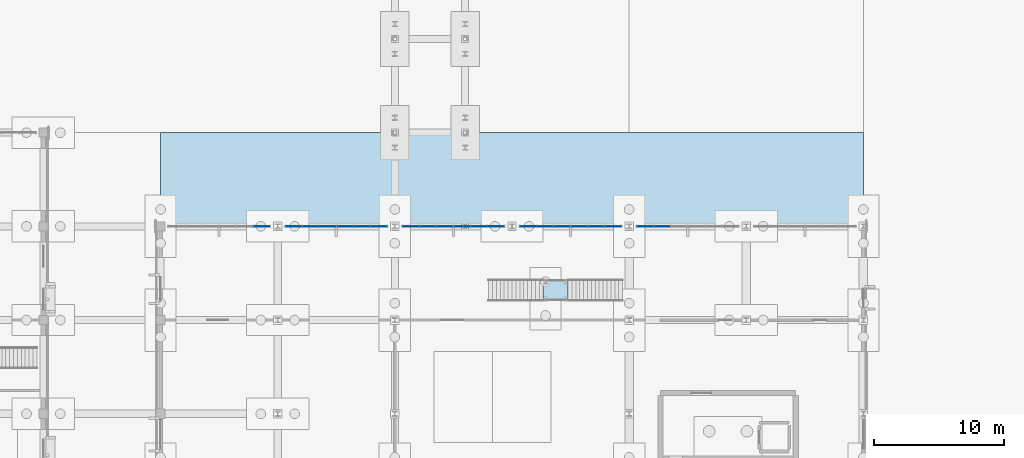
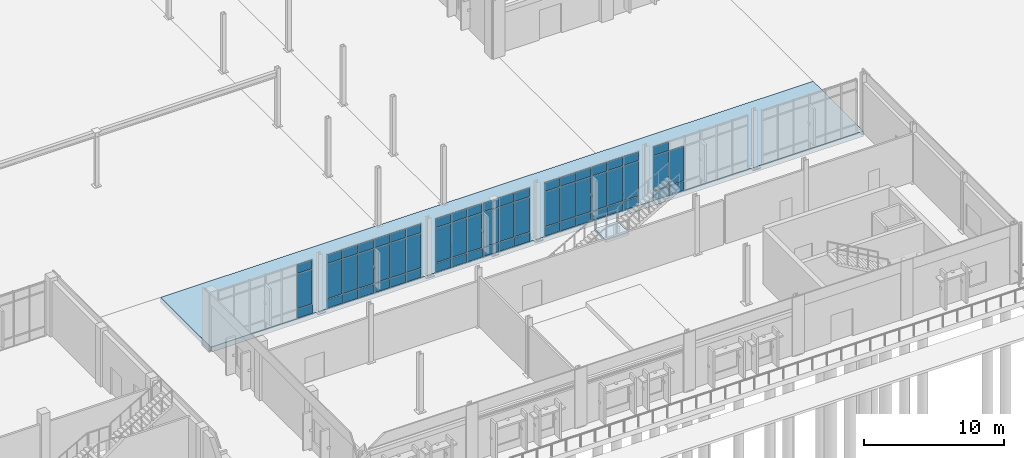
# One storey, part 53 of 94: 62 plates, 2 slabs, 9 elements without a shape of their own.
"""IFC4 building model written with IfcOpenShell, lengths in metres."""

from ifc_helpers import new_model, si_unit, direction, frame, origin, origin_2d, place, context, subcontext, project, spatial, polyline, rectangle, outline, extrude, material, layer, layer_set, type_object, element, aggregate, save


model = new_model("IFC4")

# Units and contexts
model_context = context("Model", 3, precision=1e-05, world=origin(), true_north=direction((0.0, 1.0)))
body_context = subcontext(model_context, "Body", "Model", "MODEL_VIEW")
ifc_project = project(units=[si_unit("LENGTHUNIT", "METRE"), si_unit("AREAUNIT", "SQUARE_METRE"), si_unit("VOLUMEUNIT", "CUBIC_METRE"), si_unit("PLANEANGLEUNIT", "RADIAN"), si_unit("MASSUNIT", "GRAM", prefix="KILO")], contexts=[model_context])

# Site, building, storey
site_placement = place(None, origin())
site = spatial("IfcSite", under=ifc_project, at=site_placement, CompositionType="ELEMENT")
building_placement = place(site_placement, origin())
building = spatial("IfcBuilding", under=site, at=building_placement, Name="Vervanel Yard Central Library", CompositionType="ELEMENT")
storey_placement = place(building_placement, origin())
storey = spatial("IfcBuildingStorey", under=building, at=storey_placement, Name="L00", CompositionType="ELEMENT", Elevation=0.0)

# Curtain wall, plates
ifc_material_1 = material(Name="Thermally broken anodized aluminium 6063-T6", Category="aluminium")
curtain_wall_type = type_object("IfcCurtainWallType", Name="Children's Courtyard Curtain Wall", PredefinedType="NOTDEFINED", material=ifc_material_1)
curtain_wall_1_placement = place(storey_placement, origin())
curtain_wall_1 = element("IfcCurtainWall", 1, at=curtain_wall_1_placement, inside=storey, type_object=curtain_wall_type, Name="L00 Children's Courtyard Curtain Wall CWR-L00-155", PredefinedType="NOTDEFINED")
ifc_material_2 = material(Name="Double low-E laminated solar-control glass", Category="glass")
ifc_layer_1 = layer(ifc_material_2, 0.030029296875, Category="glass")
ifc_layer_set_1 = layer_set([ifc_layer_1], Name="Double low-E laminated solar-control glass")
plate_type_1 = type_object("IfcPlateType", Name="Courtyard Clear Low-E Panel 30", PredefinedType="CURTAIN_PANEL", material=ifc_layer_set_1)
plate_1_placement = place(storey_placement, frame((61.763427734375, 21.60009765625, 0.8798828125), z_axis=(0.0, 0.0, 1.0), x_axis=(1.0, 0.0, 0.0)))
plate_1 = element("IfcPlate", 2, at=plate_1_placement, type_object=plate_type_1, Name="CWR-L00-155 Panel B3-2", PredefinedType="CURTAIN_PANEL", context=body_context, shape_type="SweptSolid", body=[
    extrude(rectangle(XDim=1.2333984375, YDim=0.030029296875, at=origin_2d()), origin(), (0.0, 0.0, 1.0), 3.02001953125),
])
plate_2_placement = place(storey_placement, frame((61.763427734375, 21.60009765625, 3.9599609375), z_axis=(0.0, 0.0, 1.0), x_axis=(1.0, 0.0, 0.0)))
plate_2 = element("IfcPlate", 3, at=plate_2_placement, type_object=plate_type_1, Name="CWR-L00-155 Panel B3-3", PredefinedType="CURTAIN_PANEL", context=body_context, shape_type="SweptSolid", body=[
    extrude(rectangle(XDim=1.2333984375, YDim=0.030029296875, at=origin_2d()), origin(), (0.0, 0.0, 1.0), 0.760009765625),
])

curtain_wall_2_placement = place(storey_placement, origin())
curtain_wall_2 = element("IfcCurtainWall", 4, at=curtain_wall_2_placement, inside=storey, type_object=curtain_wall_type, Name="L00 Children's Courtyard Curtain Wall CWR-L00-156", PredefinedType="NOTDEFINED")
plate_3_placement = place(storey_placement, frame((64.236572265625, 21.60009765625, 0.8798828125), z_axis=(0.0, 0.0, 1.0), x_axis=(1.0, 0.0, 0.0)))
plate_3 = element("IfcPlate", 5, at=plate_3_placement, type_object=plate_type_1, Name="CWR-L00-156 Panel B1-2", PredefinedType="CURTAIN_PANEL", context=body_context, shape_type="SweptSolid", body=[
    extrude(rectangle(XDim=1.2333984375, YDim=0.030029296875, at=origin_2d()), origin(), (0.0, 0.0, 1.0), 3.02001953125),
])
plate_4_placement = place(storey_placement, frame((64.236572265625, 21.60009765625, 3.9599609375), z_axis=(0.0, 0.0, 1.0), x_axis=(1.0, 0.0, 0.0)))
plate_4 = element("IfcPlate", 6, at=plate_4_placement, type_object=plate_type_1, Name="CWR-L00-156 Panel B1-3", PredefinedType="CURTAIN_PANEL", context=body_context, shape_type="SweptSolid", body=[
    extrude(rectangle(XDim=1.2333984375, YDim=0.030029296875, at=origin_2d()), origin(), (0.0, 0.0, 1.0), 0.760009765625),
])
plate_5_placement = place(storey_placement, frame((65.530029296875, 21.60009765625, 0.8798828125), z_axis=(0.0, 0.0, 1.0), x_axis=(1.0, 0.0, 0.0)))
plate_5 = element("IfcPlate", 7, at=plate_5_placement, type_object=plate_type_1, Name="CWR-L00-156 Panel B2-2", PredefinedType="CURTAIN_PANEL", context=body_context, shape_type="SweptSolid", body=[
    extrude(rectangle(XDim=1.2333984375, YDim=0.030029296875, at=origin_2d()), origin(), (0.0, 0.0, 1.0), 3.02001953125),
])
plate_6_placement = place(storey_placement, frame((65.530029296875, 21.60009765625, 3.9599609375), z_axis=(0.0, 0.0, 1.0), x_axis=(1.0, 0.0, 0.0)))
plate_6 = element("IfcPlate", 8, at=plate_6_placement, type_object=plate_type_1, Name="CWR-L00-156 Panel B2-3", PredefinedType="CURTAIN_PANEL", context=body_context, shape_type="SweptSolid", body=[
    extrude(rectangle(XDim=1.2333984375, YDim=0.030029296875, at=origin_2d()), origin(), (0.0, 0.0, 1.0), 0.760009765625),
])
plate_7_placement = place(storey_placement, frame((66.8232421875, 21.60009765625, 0.8798828125), z_axis=(0.0, 0.0, 1.0), x_axis=(1.0, 0.0, 0.0)))
plate_7 = element("IfcPlate", 9, at=plate_7_placement, type_object=plate_type_1, Name="CWR-L00-156 Panel B3-2", PredefinedType="CURTAIN_PANEL", context=body_context, shape_type="SweptSolid", body=[
    extrude(rectangle(XDim=1.2333984375, YDim=0.030029296875, at=origin_2d()), origin(), (0.0, 0.0, 1.0), 3.02001953125),
])
plate_8_placement = place(storey_placement, frame((66.8232421875, 21.60009765625, 3.9599609375), z_axis=(0.0, 0.0, 1.0), x_axis=(1.0, 0.0, 0.0)))
plate_8 = element("IfcPlate", 10, at=plate_8_placement, type_object=plate_type_1, Name="CWR-L00-156 Panel B3-3", PredefinedType="CURTAIN_PANEL", context=body_context, shape_type="SweptSolid", body=[
    extrude(rectangle(XDim=1.2333984375, YDim=0.030029296875, at=origin_2d()), origin(), (0.0, 0.0, 1.0), 0.760009765625),
])

curtain_wall_3_placement = place(storey_placement, origin())
curtain_wall_3 = element("IfcCurtainWall", 11, at=curtain_wall_3_placement, inside=storey, type_object=curtain_wall_type, Name="L00 Children's Courtyard Curtain Wall CWR-L00-157", PredefinedType="NOTDEFINED")
plate_9_placement = place(storey_placement, frame((68.1767578125, 21.60009765625, 0.8798828125), z_axis=(0.0, 0.0, 1.0), x_axis=(1.0, 0.0, 0.0)))
plate_9 = element("IfcPlate", 12, at=plate_9_placement, type_object=plate_type_1, Name="CWR-L00-157 Panel B1-2", PredefinedType="CURTAIN_PANEL", context=body_context, shape_type="SweptSolid", body=[
    extrude(rectangle(XDim=1.2333984375, YDim=0.030029296875, at=origin_2d()), origin(), (0.0, 0.0, 1.0), 3.02001953125),
])
plate_10_placement = place(storey_placement, frame((68.1767578125, 21.60009765625, 3.9599609375), z_axis=(0.0, 0.0, 1.0), x_axis=(1.0, 0.0, 0.0)))
plate_10 = element("IfcPlate", 13, at=plate_10_placement, type_object=plate_type_1, Name="CWR-L00-157 Panel B1-3", PredefinedType="CURTAIN_PANEL", context=body_context, shape_type="SweptSolid", body=[
    extrude(rectangle(XDim=1.2333984375, YDim=0.030029296875, at=origin_2d()), origin(), (0.0, 0.0, 1.0), 0.760009765625),
])
plate_11_placement = place(storey_placement, frame((69.469970703125, 21.60009765625, 0.8798828125), z_axis=(0.0, 0.0, 1.0), x_axis=(1.0, 0.0, 0.0)))
plate_11 = element("IfcPlate", 14, at=plate_11_placement, type_object=plate_type_1, Name="CWR-L00-157 Panel B2-2", PredefinedType="CURTAIN_PANEL", context=body_context, shape_type="SweptSolid", body=[
    extrude(rectangle(XDim=1.2333984375, YDim=0.030029296875, at=origin_2d()), origin(), (0.0, 0.0, 1.0), 3.02001953125),
])
plate_12_placement = place(storey_placement, frame((69.469970703125, 21.60009765625, 3.9599609375), z_axis=(0.0, 0.0, 1.0), x_axis=(1.0, 0.0, 0.0)))
plate_12 = element("IfcPlate", 15, at=plate_12_placement, type_object=plate_type_1, Name="CWR-L00-157 Panel B2-3", PredefinedType="CURTAIN_PANEL", context=body_context, shape_type="SweptSolid", body=[
    extrude(rectangle(XDim=1.2333984375, YDim=0.030029296875, at=origin_2d()), origin(), (0.0, 0.0, 1.0), 0.760009765625),
])
plate_13_placement = place(storey_placement, frame((70.763427734375, 21.60009765625, 0.8798828125), z_axis=(0.0, 0.0, 1.0), x_axis=(1.0, 0.0, 0.0)))
plate_13 = element("IfcPlate", 16, at=plate_13_placement, type_object=plate_type_1, Name="CWR-L00-157 Panel B3-2", PredefinedType="CURTAIN_PANEL", context=body_context, shape_type="SweptSolid", body=[
    extrude(rectangle(XDim=1.2333984375, YDim=0.030029296875, at=origin_2d()), origin(), (0.0, 0.0, 1.0), 3.02001953125),
])
plate_14_placement = place(storey_placement, frame((70.763427734375, 21.60009765625, 3.9599609375), z_axis=(0.0, 0.0, 1.0), x_axis=(1.0, 0.0, 0.0)))
plate_14 = element("IfcPlate", 17, at=plate_14_placement, type_object=plate_type_1, Name="CWR-L00-157 Panel B3-3", PredefinedType="CURTAIN_PANEL", context=body_context, shape_type="SweptSolid", body=[
    extrude(rectangle(XDim=1.2333984375, YDim=0.030029296875, at=origin_2d()), origin(), (0.0, 0.0, 1.0), 0.760009765625),
])

curtain_wall_4_placement = place(storey_placement, origin())
curtain_wall_4 = element("IfcCurtainWall", 18, at=curtain_wall_4_placement, inside=storey, type_object=curtain_wall_type, Name="L00 Children's Courtyard Curtain Wall CWR-L00-158", PredefinedType="NOTDEFINED")
plate_15_placement = place(storey_placement, frame((73.236572265625, 21.60009765625, 0.8798828125), z_axis=(0.0, 0.0, 1.0), x_axis=(1.0, 0.0, 0.0)))
plate_15 = element("IfcPlate", 19, at=plate_15_placement, type_object=plate_type_1, Name="CWR-L00-158 Panel B1-2", PredefinedType="CURTAIN_PANEL", context=body_context, shape_type="SweptSolid", body=[
    extrude(rectangle(XDim=1.2333984375, YDim=0.030029296875, at=origin_2d()), origin(), (0.0, 0.0, 1.0), 3.02001953125),
])
plate_16_placement = place(storey_placement, frame((73.236572265625, 21.60009765625, 3.9599609375), z_axis=(0.0, 0.0, 1.0), x_axis=(1.0, 0.0, 0.0)))
plate_16 = element("IfcPlate", 20, at=plate_16_placement, type_object=plate_type_1, Name="CWR-L00-158 Panel B1-3", PredefinedType="CURTAIN_PANEL", context=body_context, shape_type="SweptSolid", body=[
    extrude(rectangle(XDim=1.2333984375, YDim=0.030029296875, at=origin_2d()), origin(), (0.0, 0.0, 1.0), 0.760009765625),
])
plate_17_placement = place(storey_placement, frame((74.530029296875, 21.60009765625, 0.8798828125), z_axis=(0.0, 0.0, 1.0), x_axis=(1.0, 0.0, 0.0)))
plate_17 = element("IfcPlate", 21, at=plate_17_placement, type_object=plate_type_1, Name="CWR-L00-158 Panel B2-2", PredefinedType="CURTAIN_PANEL", context=body_context, shape_type="SweptSolid", body=[
    extrude(rectangle(XDim=1.2333984375, YDim=0.030029296875, at=origin_2d()), origin(), (0.0, 0.0, 1.0), 3.02001953125),
])
plate_18_placement = place(storey_placement, frame((74.530029296875, 21.60009765625, 3.9599609375), z_axis=(0.0, 0.0, 1.0), x_axis=(1.0, 0.0, 0.0)))
plate_18 = element("IfcPlate", 22, at=plate_18_placement, type_object=plate_type_1, Name="CWR-L00-158 Panel B2-3", PredefinedType="CURTAIN_PANEL", context=body_context, shape_type="SweptSolid", body=[
    extrude(rectangle(XDim=1.2333984375, YDim=0.030029296875, at=origin_2d()), origin(), (0.0, 0.0, 1.0), 0.760009765625),
])
plate_19_placement = place(storey_placement, frame((75.8232421875, 21.60009765625, 0.8798828125), z_axis=(0.0, 0.0, 1.0), x_axis=(1.0, 0.0, 0.0)))
plate_19 = element("IfcPlate", 23, at=plate_19_placement, type_object=plate_type_1, Name="CWR-L00-158 Panel B3-2", PredefinedType="CURTAIN_PANEL", context=body_context, shape_type="SweptSolid", body=[
    extrude(rectangle(XDim=1.2333984375, YDim=0.030029296875, at=origin_2d()), origin(), (0.0, 0.0, 1.0), 3.02001953125),
])
plate_20_placement = place(storey_placement, frame((75.8232421875, 21.60009765625, 3.9599609375), z_axis=(0.0, 0.0, 1.0), x_axis=(1.0, 0.0, 0.0)))
plate_20 = element("IfcPlate", 24, at=plate_20_placement, type_object=plate_type_1, Name="CWR-L00-158 Panel B3-3", PredefinedType="CURTAIN_PANEL", context=body_context, shape_type="SweptSolid", body=[
    extrude(rectangle(XDim=1.2333984375, YDim=0.030029296875, at=origin_2d()), origin(), (0.0, 0.0, 1.0), 0.760009765625),
])

curtain_wall_5_placement = place(storey_placement, origin())
curtain_wall_5 = element("IfcCurtainWall", 25, at=curtain_wall_5_placement, inside=storey, type_object=curtain_wall_type, Name="L00 Children's Courtyard Curtain Wall CWR-L00-159", PredefinedType="NOTDEFINED")
plate_21_placement = place(storey_placement, frame((77.1767578125, 21.60009765625, 0.8798828125), z_axis=(0.0, 0.0, 1.0), x_axis=(1.0, 0.0, 0.0)))
plate_21 = element("IfcPlate", 26, at=plate_21_placement, type_object=plate_type_1, Name="CWR-L00-159 Panel B1-2", PredefinedType="CURTAIN_PANEL", context=body_context, shape_type="SweptSolid", body=[
    extrude(rectangle(XDim=1.2333984375, YDim=0.030029296875, at=origin_2d()), origin(), (0.0, 0.0, 1.0), 3.02001953125),
])
plate_22_placement = place(storey_placement, frame((77.1767578125, 21.60009765625, 3.9599609375), z_axis=(0.0, 0.0, 1.0), x_axis=(1.0, 0.0, 0.0)))
plate_22 = element("IfcPlate", 27, at=plate_22_placement, type_object=plate_type_1, Name="CWR-L00-159 Panel B1-3", PredefinedType="CURTAIN_PANEL", context=body_context, shape_type="SweptSolid", body=[
    extrude(rectangle(XDim=1.2333984375, YDim=0.030029296875, at=origin_2d()), origin(), (0.0, 0.0, 1.0), 0.760009765625),
])
plate_23_placement = place(storey_placement, frame((78.469970703125, 21.60009765625, 0.8798828125), z_axis=(0.0, 0.0, 1.0), x_axis=(1.0, 0.0, 0.0)))
plate_23 = element("IfcPlate", 28, at=plate_23_placement, type_object=plate_type_1, Name="CWR-L00-159 Panel B2-2", PredefinedType="CURTAIN_PANEL", context=body_context, shape_type="SweptSolid", body=[
    extrude(rectangle(XDim=1.2333984375, YDim=0.030029296875, at=origin_2d()), origin(), (0.0, 0.0, 1.0), 3.02001953125),
])
plate_24_placement = place(storey_placement, frame((78.469970703125, 21.60009765625, 3.9599609375), z_axis=(0.0, 0.0, 1.0), x_axis=(1.0, 0.0, 0.0)))
plate_24 = element("IfcPlate", 29, at=plate_24_placement, type_object=plate_type_1, Name="CWR-L00-159 Panel B2-3", PredefinedType="CURTAIN_PANEL", context=body_context, shape_type="SweptSolid", body=[
    extrude(rectangle(XDim=1.2333984375, YDim=0.030029296875, at=origin_2d()), origin(), (0.0, 0.0, 1.0), 0.760009765625),
])
plate_25_placement = place(storey_placement, frame((79.763427734375, 21.60009765625, 0.8798828125), z_axis=(0.0, 0.0, 1.0), x_axis=(1.0, 0.0, 0.0)))
plate_25 = element("IfcPlate", 30, at=plate_25_placement, type_object=plate_type_1, Name="CWR-L00-159 Panel B3-2", PredefinedType="CURTAIN_PANEL", context=body_context, shape_type="SweptSolid", body=[
    extrude(rectangle(XDim=1.2333984375, YDim=0.030029296875, at=origin_2d()), origin(), (0.0, 0.0, 1.0), 3.02001953125),
])
plate_26_placement = place(storey_placement, frame((79.763427734375, 21.60009765625, 3.9599609375), z_axis=(0.0, 0.0, 1.0), x_axis=(1.0, 0.0, 0.0)))
plate_26 = element("IfcPlate", 31, at=plate_26_placement, type_object=plate_type_1, Name="CWR-L00-159 Panel B3-3", PredefinedType="CURTAIN_PANEL", context=body_context, shape_type="SweptSolid", body=[
    extrude(rectangle(XDim=1.2333984375, YDim=0.030029296875, at=origin_2d()), origin(), (0.0, 0.0, 1.0), 0.760009765625),
])

curtain_wall_6_placement = place(storey_placement, origin())
curtain_wall_6 = element("IfcCurtainWall", 32, at=curtain_wall_6_placement, inside=storey, type_object=curtain_wall_type, Name="L00 Children's Courtyard Curtain Wall CWR-L00-160", PredefinedType="NOTDEFINED")
plate_27_placement = place(storey_placement, frame((82.236572265625, 21.60009765625, 0.8798828125), z_axis=(0.0, 0.0, 1.0), x_axis=(1.0, 0.0, 0.0)))
plate_27 = element("IfcPlate", 33, at=plate_27_placement, type_object=plate_type_1, Name="CWR-L00-160 Panel B1-2", PredefinedType="CURTAIN_PANEL", context=body_context, shape_type="SweptSolid", body=[
    extrude(rectangle(XDim=1.2333984375, YDim=0.030029296875, at=origin_2d()), origin(), (0.0, 0.0, 1.0), 3.02001953125),
])
plate_28_placement = place(storey_placement, frame((82.236572265625, 21.60009765625, 3.9599609375), z_axis=(0.0, 0.0, 1.0), x_axis=(1.0, 0.0, 0.0)))
plate_28 = element("IfcPlate", 34, at=plate_28_placement, type_object=plate_type_1, Name="CWR-L00-160 Panel B1-3", PredefinedType="CURTAIN_PANEL", context=body_context, shape_type="SweptSolid", body=[
    extrude(rectangle(XDim=1.2333984375, YDim=0.030029296875, at=origin_2d()), origin(), (0.0, 0.0, 1.0), 0.760009765625),
])
plate_29_placement = place(storey_placement, frame((83.530029296875, 21.60009765625, 0.8798828125), z_axis=(0.0, 0.0, 1.0), x_axis=(1.0, 0.0, 0.0)))
plate_29 = element("IfcPlate", 35, at=plate_29_placement, type_object=plate_type_1, Name="CWR-L00-160 Panel B2-2", PredefinedType="CURTAIN_PANEL", context=body_context, shape_type="SweptSolid", body=[
    extrude(rectangle(XDim=1.2333984375, YDim=0.030029296875, at=origin_2d()), origin(), (0.0, 0.0, 1.0), 3.02001953125),
])
plate_30_placement = place(storey_placement, frame((83.530029296875, 21.60009765625, 3.9599609375), z_axis=(0.0, 0.0, 1.0), x_axis=(1.0, 0.0, 0.0)))
plate_30 = element("IfcPlate", 36, at=plate_30_placement, type_object=plate_type_1, Name="CWR-L00-160 Panel B2-3", PredefinedType="CURTAIN_PANEL", context=body_context, shape_type="SweptSolid", body=[
    extrude(rectangle(XDim=1.2333984375, YDim=0.030029296875, at=origin_2d()), origin(), (0.0, 0.0, 1.0), 0.760009765625),
])
plate_31_placement = place(storey_placement, frame((84.8232421875, 21.60009765625, 0.8798828125), z_axis=(0.0, 0.0, 1.0), x_axis=(1.0, 0.0, 0.0)))
plate_31 = element("IfcPlate", 37, at=plate_31_placement, type_object=plate_type_1, Name="CWR-L00-160 Panel B3-2", PredefinedType="CURTAIN_PANEL", context=body_context, shape_type="SweptSolid", body=[
    extrude(rectangle(XDim=1.2333984375, YDim=0.030029296875, at=origin_2d()), origin(), (0.0, 0.0, 1.0), 3.02001953125),
])
plate_32_placement = place(storey_placement, frame((84.8232421875, 21.60009765625, 3.9599609375), z_axis=(0.0, 0.0, 1.0), x_axis=(1.0, 0.0, 0.0)))
plate_32 = element("IfcPlate", 38, at=plate_32_placement, type_object=plate_type_1, Name="CWR-L00-160 Panel B3-3", PredefinedType="CURTAIN_PANEL", context=body_context, shape_type="SweptSolid", body=[
    extrude(rectangle(XDim=1.2333984375, YDim=0.030029296875, at=origin_2d()), origin(), (0.0, 0.0, 1.0), 0.760009765625),
])

curtain_wall_7_placement = place(storey_placement, origin())
curtain_wall_7 = element("IfcCurtainWall", 39, at=curtain_wall_7_placement, inside=storey, type_object=curtain_wall_type, Name="L00 Children's Courtyard Curtain Wall CWR-L00-161", PredefinedType="NOTDEFINED")
plate_33_placement = place(storey_placement, frame((86.1767578125, 21.60009765625, 0.8798828125), z_axis=(0.0, 0.0, 1.0), x_axis=(1.0, 0.0, 0.0)))
plate_33 = element("IfcPlate", 40, at=plate_33_placement, type_object=plate_type_1, Name="CWR-L00-161 Panel B1-2", PredefinedType="CURTAIN_PANEL", context=body_context, shape_type="SweptSolid", body=[
    extrude(rectangle(XDim=1.2333984375, YDim=0.030029296875, at=origin_2d()), origin(), (0.0, 0.0, 1.0), 3.02001953125),
])
plate_34_placement = place(storey_placement, frame((86.1767578125, 21.60009765625, 3.9599609375), z_axis=(0.0, 0.0, 1.0), x_axis=(1.0, 0.0, 0.0)))
plate_34 = element("IfcPlate", 41, at=plate_34_placement, type_object=plate_type_1, Name="CWR-L00-161 Panel B1-3", PredefinedType="CURTAIN_PANEL", context=body_context, shape_type="SweptSolid", body=[
    extrude(rectangle(XDim=1.2333984375, YDim=0.030029296875, at=origin_2d()), origin(), (0.0, 0.0, 1.0), 0.760009765625),
])
plate_35_placement = place(storey_placement, frame((87.469970703125, 21.60009765625, 0.8798828125), z_axis=(0.0, 0.0, 1.0), x_axis=(1.0, 0.0, 0.0)))
plate_35 = element("IfcPlate", 42, at=plate_35_placement, type_object=plate_type_1, Name="CWR-L00-161 Panel B2-2", PredefinedType="CURTAIN_PANEL", context=body_context, shape_type="SweptSolid", body=[
    extrude(rectangle(XDim=1.2333984375, YDim=0.030029296875, at=origin_2d()), origin(), (0.0, 0.0, 1.0), 3.02001953125),
])
plate_36_placement = place(storey_placement, frame((87.469970703125, 21.60009765625, 3.9599609375), z_axis=(0.0, 0.0, 1.0), x_axis=(1.0, 0.0, 0.0)))
plate_36 = element("IfcPlate", 43, at=plate_36_placement, type_object=plate_type_1, Name="CWR-L00-161 Panel B2-3", PredefinedType="CURTAIN_PANEL", context=body_context, shape_type="SweptSolid", body=[
    extrude(rectangle(XDim=1.2333984375, YDim=0.030029296875, at=origin_2d()), origin(), (0.0, 0.0, 1.0), 0.760009765625),
])
plate_37_placement = place(storey_placement, frame((88.763427734375, 21.60009765625, 0.8798828125), z_axis=(0.0, 0.0, 1.0), x_axis=(1.0, 0.0, 0.0)))
plate_37 = element("IfcPlate", 44, at=plate_37_placement, type_object=plate_type_1, Name="CWR-L00-161 Panel B3-2", PredefinedType="CURTAIN_PANEL", context=body_context, shape_type="SweptSolid", body=[
    extrude(rectangle(XDim=1.2333984375, YDim=0.030029296875, at=origin_2d()), origin(), (0.0, 0.0, 1.0), 3.02001953125),
])
plate_38_placement = place(storey_placement, frame((88.763427734375, 21.60009765625, 3.9599609375), z_axis=(0.0, 0.0, 1.0), x_axis=(1.0, 0.0, 0.0)))
plate_38 = element("IfcPlate", 45, at=plate_38_placement, type_object=plate_type_1, Name="CWR-L00-161 Panel B3-3", PredefinedType="CURTAIN_PANEL", context=body_context, shape_type="SweptSolid", body=[
    extrude(rectangle(XDim=1.2333984375, YDim=0.030029296875, at=origin_2d()), origin(), (0.0, 0.0, 1.0), 0.760009765625),
])

curtain_wall_8_placement = place(storey_placement, origin())
curtain_wall_8 = element("IfcCurtainWall", 46, at=curtain_wall_8_placement, inside=storey, type_object=curtain_wall_type, Name="L00 Children's Courtyard Curtain Wall CWR-L00-162", PredefinedType="NOTDEFINED")
plate_39_placement = place(storey_placement, frame((91.236572265625, 21.60009765625, 0.8798828125), z_axis=(0.0, 0.0, 1.0), x_axis=(1.0, 0.0, 0.0)))
plate_39 = element("IfcPlate", 47, at=plate_39_placement, type_object=plate_type_1, Name="CWR-L00-162 Panel B1-2", PredefinedType="CURTAIN_PANEL", context=body_context, shape_type="SweptSolid", body=[
    extrude(rectangle(XDim=1.2333984375, YDim=0.030029296875, at=origin_2d()), origin(), (0.0, 0.0, 1.0), 3.02001953125),
])
plate_40_placement = place(storey_placement, frame((91.236572265625, 21.60009765625, 3.9599609375), z_axis=(0.0, 0.0, 1.0), x_axis=(1.0, 0.0, 0.0)))
plate_40 = element("IfcPlate", 48, at=plate_40_placement, type_object=plate_type_1, Name="CWR-L00-162 Panel B1-3", PredefinedType="CURTAIN_PANEL", context=body_context, shape_type="SweptSolid", body=[
    extrude(rectangle(XDim=1.2333984375, YDim=0.030029296875, at=origin_2d()), origin(), (0.0, 0.0, 1.0), 0.760009765625),
])
plate_41_placement = place(storey_placement, frame((92.530029296875, 21.60009765625, 0.8798828125), z_axis=(0.0, 0.0, 1.0), x_axis=(1.0, 0.0, 0.0)))
plate_41 = element("IfcPlate", 49, at=plate_41_placement, type_object=plate_type_1, Name="CWR-L00-162 Panel B2-2", PredefinedType="CURTAIN_PANEL", context=body_context, shape_type="SweptSolid", body=[
    extrude(rectangle(XDim=1.2333984375, YDim=0.030029296875, at=origin_2d()), origin(), (0.0, 0.0, 1.0), 3.02001953125),
])

# Stair, slab
ifc_material_3 = material(Name="Concrete C45/55", Category="concrete")
stair_type = type_object("IfcStairType", Name="Architectural Feature Straight Stair FS-ST-06", PredefinedType="STRAIGHT_RUN_STAIR", material=ifc_material_3)
stair_placement = place(storey_placement, origin())
stair = element("IfcStair", 50, at=stair_placement, inside=storey, type_object=stair_type, Name="L00 Feature Stair FS-ST-06", PredefinedType="STRAIGHT_RUN_STAIR")
ifc_layer_2 = layer(ifc_material_3, 0.219970703125, Category="concrete")
ifc_layer_set_2 = layer_set([ifc_layer_2], Name="Concrete C45/55")
slab_type_1 = type_object("IfcSlabType", Name="Feature Stair Concrete Landing Slab 220", PredefinedType="LANDING", material=ifc_layer_set_2)
slab_1_placement = place(storey_placement, frame((0.0, 0.0, 2.330078125)))
slab_1 = element("IfcSlab", 51, at=slab_1_placement, type_object=slab_type_1, Name="FST-06-L00 Mid Landing 1", PredefinedType="LANDING", context=body_context, shape_type="SweptSolid", body=[
    extrude(outline(polyline([(83.39990234375, 15.8701171875), (85.300048828125, 15.8701171875), (85.300048828125, 17.530029296875), (83.39990234375, 17.530029296875), (83.39990234375, 15.8701171875)])), origin(), (0.0, 0.0, 1.0), 0.219970703125),
])
aggregate(stair, [slab_1])

# Plate
ifc_material_4 = material(Name="Insulated bronze aluminium spandrel panel", Category="aluminium")
ifc_layer_3 = layer(ifc_material_4, 0.080078125, Category="aluminium")
ifc_layer_set_3 = layer_set([ifc_layer_3], Name="Insulated bronze aluminium spandrel panel")
plate_type_2 = type_object("IfcPlateType", Name="Insulated Bronze Spandrel Panel 80", PredefinedType="CURTAIN_PANEL", material=ifc_layer_set_3)
plate_42_placement = place(storey_placement, frame((61.763427734375, 21.60009765625, 0.06005859375), z_axis=(0.0, 0.0, 1.0), x_axis=(1.0, 0.0, 0.0)))
plate_42 = element("IfcPlate", 52, at=plate_42_placement, type_object=plate_type_2, Name="CWR-L00-155 Panel B3-1", PredefinedType="CURTAIN_PANEL", context=body_context, shape_type="SweptSolid", body=[
    extrude(rectangle(XDim=1.2333984375, YDim=0.080078125, at=origin_2d()), origin(), (0.0, 0.0, 1.0), 0.760009765625),
])

aggregate(curtain_wall_1, [plate_42, plate_1, plate_2])

plate_43_placement = place(storey_placement, frame((64.236572265625, 21.60009765625, 0.06005859375), z_axis=(0.0, 0.0, 1.0), x_axis=(1.0, 0.0, 0.0)))
plate_43 = element("IfcPlate", 53, at=plate_43_placement, type_object=plate_type_2, Name="CWR-L00-156 Panel B1-1", PredefinedType="CURTAIN_PANEL", context=body_context, shape_type="SweptSolid", body=[
    extrude(rectangle(XDim=1.2333984375, YDim=0.080078125, at=origin_2d()), origin(), (0.0, 0.0, 1.0), 0.760009765625),
])

plate_44_placement = place(storey_placement, frame((65.530029296875, 21.60009765625, 0.06005859375), z_axis=(0.0, 0.0, 1.0), x_axis=(1.0, 0.0, 0.0)))
plate_44 = element("IfcPlate", 54, at=plate_44_placement, type_object=plate_type_2, Name="CWR-L00-156 Panel B2-1", PredefinedType="CURTAIN_PANEL", context=body_context, shape_type="SweptSolid", body=[
    extrude(rectangle(XDim=1.2333984375, YDim=0.080078125, at=origin_2d()), origin(), (0.0, 0.0, 1.0), 0.760009765625),
])

plate_45_placement = place(storey_placement, frame((66.8232421875, 21.60009765625, 0.06005859375), z_axis=(0.0, 0.0, 1.0), x_axis=(1.0, 0.0, 0.0)))
plate_45 = element("IfcPlate", 55, at=plate_45_placement, type_object=plate_type_2, Name="CWR-L00-156 Panel B3-1", PredefinedType="CURTAIN_PANEL", context=body_context, shape_type="SweptSolid", body=[
    extrude(rectangle(XDim=1.2333984375, YDim=0.080078125, at=origin_2d()), origin(), (0.0, 0.0, 1.0), 0.760009765625),
])

aggregate(curtain_wall_2, [plate_43, plate_3, plate_4, plate_44, plate_5, plate_6, plate_45, plate_7, plate_8])

plate_46_placement = place(storey_placement, frame((68.1767578125, 21.60009765625, 0.06005859375), z_axis=(0.0, 0.0, 1.0), x_axis=(1.0, 0.0, 0.0)))
plate_46 = element("IfcPlate", 56, at=plate_46_placement, type_object=plate_type_2, Name="CWR-L00-157 Panel B1-1", PredefinedType="CURTAIN_PANEL", context=body_context, shape_type="SweptSolid", body=[
    extrude(rectangle(XDim=1.2333984375, YDim=0.080078125, at=origin_2d()), origin(), (0.0, 0.0, 1.0), 0.760009765625),
])

plate_47_placement = place(storey_placement, frame((69.469970703125, 21.60009765625, 0.06005859375), z_axis=(0.0, 0.0, 1.0), x_axis=(1.0, 0.0, 0.0)))
plate_47 = element("IfcPlate", 57, at=plate_47_placement, type_object=plate_type_2, Name="CWR-L00-157 Panel B2-1", PredefinedType="CURTAIN_PANEL", context=body_context, shape_type="SweptSolid", body=[
    extrude(rectangle(XDim=1.2333984375, YDim=0.080078125, at=origin_2d()), origin(), (0.0, 0.0, 1.0), 0.760009765625),
])

plate_48_placement = place(storey_placement, frame((70.763427734375, 21.60009765625, 0.06005859375), z_axis=(0.0, 0.0, 1.0), x_axis=(1.0, 0.0, 0.0)))
plate_48 = element("IfcPlate", 58, at=plate_48_placement, type_object=plate_type_2, Name="CWR-L00-157 Panel B3-1", PredefinedType="CURTAIN_PANEL", context=body_context, shape_type="SweptSolid", body=[
    extrude(rectangle(XDim=1.2333984375, YDim=0.080078125, at=origin_2d()), origin(), (0.0, 0.0, 1.0), 0.760009765625),
])

aggregate(curtain_wall_3, [plate_46, plate_9, plate_10, plate_47, plate_11, plate_12, plate_48, plate_13, plate_14])

plate_49_placement = place(storey_placement, frame((73.236572265625, 21.60009765625, 0.06005859375), z_axis=(0.0, 0.0, 1.0), x_axis=(1.0, 0.0, 0.0)))
plate_49 = element("IfcPlate", 59, at=plate_49_placement, type_object=plate_type_2, Name="CWR-L00-158 Panel B1-1", PredefinedType="CURTAIN_PANEL", context=body_context, shape_type="SweptSolid", body=[
    extrude(rectangle(XDim=1.2333984375, YDim=0.080078125, at=origin_2d()), origin(), (0.0, 0.0, 1.0), 0.760009765625),
])

plate_50_placement = place(storey_placement, frame((74.530029296875, 21.60009765625, 0.06005859375), z_axis=(0.0, 0.0, 1.0), x_axis=(1.0, 0.0, 0.0)))
plate_50 = element("IfcPlate", 60, at=plate_50_placement, type_object=plate_type_2, Name="CWR-L00-158 Panel B2-1", PredefinedType="CURTAIN_PANEL", context=body_context, shape_type="SweptSolid", body=[
    extrude(rectangle(XDim=1.2333984375, YDim=0.080078125, at=origin_2d()), origin(), (0.0, 0.0, 1.0), 0.760009765625),
])

plate_51_placement = place(storey_placement, frame((75.8232421875, 21.60009765625, 0.06005859375), z_axis=(0.0, 0.0, 1.0), x_axis=(1.0, 0.0, 0.0)))
plate_51 = element("IfcPlate", 61, at=plate_51_placement, type_object=plate_type_2, Name="CWR-L00-158 Panel B3-1", PredefinedType="CURTAIN_PANEL", context=body_context, shape_type="SweptSolid", body=[
    extrude(rectangle(XDim=1.2333984375, YDim=0.080078125, at=origin_2d()), origin(), (0.0, 0.0, 1.0), 0.760009765625),
])

aggregate(curtain_wall_4, [plate_49, plate_15, plate_16, plate_50, plate_17, plate_18, plate_51, plate_19, plate_20])

plate_52_placement = place(storey_placement, frame((77.1767578125, 21.60009765625, 0.06005859375), z_axis=(0.0, 0.0, 1.0), x_axis=(1.0, 0.0, 0.0)))
plate_52 = element("IfcPlate", 62, at=plate_52_placement, type_object=plate_type_2, Name="CWR-L00-159 Panel B1-1", PredefinedType="CURTAIN_PANEL", context=body_context, shape_type="SweptSolid", body=[
    extrude(rectangle(XDim=1.2333984375, YDim=0.080078125, at=origin_2d()), origin(), (0.0, 0.0, 1.0), 0.760009765625),
])

plate_53_placement = place(storey_placement, frame((78.469970703125, 21.60009765625, 0.06005859375), z_axis=(0.0, 0.0, 1.0), x_axis=(1.0, 0.0, 0.0)))
plate_53 = element("IfcPlate", 63, at=plate_53_placement, type_object=plate_type_2, Name="CWR-L00-159 Panel B2-1", PredefinedType="CURTAIN_PANEL", context=body_context, shape_type="SweptSolid", body=[
    extrude(rectangle(XDim=1.2333984375, YDim=0.080078125, at=origin_2d()), origin(), (0.0, 0.0, 1.0), 0.760009765625),
])

plate_54_placement = place(storey_placement, frame((79.763427734375, 21.60009765625, 0.06005859375), z_axis=(0.0, 0.0, 1.0), x_axis=(1.0, 0.0, 0.0)))
plate_54 = element("IfcPlate", 64, at=plate_54_placement, type_object=plate_type_2, Name="CWR-L00-159 Panel B3-1", PredefinedType="CURTAIN_PANEL", context=body_context, shape_type="SweptSolid", body=[
    extrude(rectangle(XDim=1.2333984375, YDim=0.080078125, at=origin_2d()), origin(), (0.0, 0.0, 1.0), 0.760009765625),
])

aggregate(curtain_wall_5, [plate_52, plate_21, plate_22, plate_53, plate_23, plate_24, plate_54, plate_25, plate_26])

plate_55_placement = place(storey_placement, frame((82.236572265625, 21.60009765625, 0.06005859375), z_axis=(0.0, 0.0, 1.0), x_axis=(1.0, 0.0, 0.0)))
plate_55 = element("IfcPlate", 65, at=plate_55_placement, type_object=plate_type_2, Name="CWR-L00-160 Panel B1-1", PredefinedType="CURTAIN_PANEL", context=body_context, shape_type="SweptSolid", body=[
    extrude(rectangle(XDim=1.2333984375, YDim=0.080078125, at=origin_2d()), origin(), (0.0, 0.0, 1.0), 0.760009765625),
])

plate_56_placement = place(storey_placement, frame((83.530029296875, 21.60009765625, 0.06005859375), z_axis=(0.0, 0.0, 1.0), x_axis=(1.0, 0.0, 0.0)))
plate_56 = element("IfcPlate", 66, at=plate_56_placement, type_object=plate_type_2, Name="CWR-L00-160 Panel B2-1", PredefinedType="CURTAIN_PANEL", context=body_context, shape_type="SweptSolid", body=[
    extrude(rectangle(XDim=1.2333984375, YDim=0.080078125, at=origin_2d()), origin(), (0.0, 0.0, 1.0), 0.760009765625),
])

plate_57_placement = place(storey_placement, frame((84.8232421875, 21.60009765625, 0.06005859375), z_axis=(0.0, 0.0, 1.0), x_axis=(1.0, 0.0, 0.0)))
plate_57 = element("IfcPlate", 67, at=plate_57_placement, type_object=plate_type_2, Name="CWR-L00-160 Panel B3-1", PredefinedType="CURTAIN_PANEL", context=body_context, shape_type="SweptSolid", body=[
    extrude(rectangle(XDim=1.2333984375, YDim=0.080078125, at=origin_2d()), origin(), (0.0, 0.0, 1.0), 0.760009765625),
])

aggregate(curtain_wall_6, [plate_55, plate_27, plate_28, plate_56, plate_29, plate_30, plate_57, plate_31, plate_32])

plate_58_placement = place(storey_placement, frame((86.1767578125, 21.60009765625, 0.06005859375), z_axis=(0.0, 0.0, 1.0), x_axis=(1.0, 0.0, 0.0)))
plate_58 = element("IfcPlate", 68, at=plate_58_placement, type_object=plate_type_2, Name="CWR-L00-161 Panel B1-1", PredefinedType="CURTAIN_PANEL", context=body_context, shape_type="SweptSolid", body=[
    extrude(rectangle(XDim=1.2333984375, YDim=0.080078125, at=origin_2d()), origin(), (0.0, 0.0, 1.0), 0.760009765625),
])

plate_59_placement = place(storey_placement, frame((87.469970703125, 21.60009765625, 0.06005859375), z_axis=(0.0, 0.0, 1.0), x_axis=(1.0, 0.0, 0.0)))
plate_59 = element("IfcPlate", 69, at=plate_59_placement, type_object=plate_type_2, Name="CWR-L00-161 Panel B2-1", PredefinedType="CURTAIN_PANEL", context=body_context, shape_type="SweptSolid", body=[
    extrude(rectangle(XDim=1.2333984375, YDim=0.080078125, at=origin_2d()), origin(), (0.0, 0.0, 1.0), 0.760009765625),
])

plate_60_placement = place(storey_placement, frame((88.763427734375, 21.60009765625, 0.06005859375), z_axis=(0.0, 0.0, 1.0), x_axis=(1.0, 0.0, 0.0)))
plate_60 = element("IfcPlate", 70, at=plate_60_placement, type_object=plate_type_2, Name="CWR-L00-161 Panel B3-1", PredefinedType="CURTAIN_PANEL", context=body_context, shape_type="SweptSolid", body=[
    extrude(rectangle(XDim=1.2333984375, YDim=0.080078125, at=origin_2d()), origin(), (0.0, 0.0, 1.0), 0.760009765625),
])

aggregate(curtain_wall_7, [plate_58, plate_33, plate_34, plate_59, plate_35, plate_36, plate_60, plate_37, plate_38])

plate_61_placement = place(storey_placement, frame((91.236572265625, 21.60009765625, 0.06005859375), z_axis=(0.0, 0.0, 1.0), x_axis=(1.0, 0.0, 0.0)))
plate_61 = element("IfcPlate", 71, at=plate_61_placement, type_object=plate_type_2, Name="CWR-L00-162 Panel B1-1", PredefinedType="CURTAIN_PANEL", context=body_context, shape_type="SweptSolid", body=[
    extrude(rectangle(XDim=1.2333984375, YDim=0.080078125, at=origin_2d()), origin(), (0.0, 0.0, 1.0), 0.760009765625),
])

plate_62_placement = place(storey_placement, frame((92.530029296875, 21.60009765625, 0.06005859375), z_axis=(0.0, 0.0, 1.0), x_axis=(1.0, 0.0, 0.0)))
plate_62 = element("IfcPlate", 72, at=plate_62_placement, type_object=plate_type_2, Name="CWR-L00-162 Panel B2-1", PredefinedType="CURTAIN_PANEL", context=body_context, shape_type="SweptSolid", body=[
    extrude(rectangle(XDim=1.2333984375, YDim=0.080078125, at=origin_2d()), origin(), (0.0, 0.0, 1.0), 0.760009765625),
])

aggregate(curtain_wall_8, [plate_61, plate_39, plate_40, plate_62, plate_41])

# Slab
ifc_material_5 = material(Name="Concrete C40/50", Category="concrete")
ifc_layer_4 = layer(ifc_material_5, 0.449951171875, Category="concrete")
ifc_layer_set_4 = layer_set([ifc_layer_4], Name="Concrete C40/50")
slab_type_2 = type_object("IfcSlabType", Name="Switchyard Plinth Deck Slab 450", PredefinedType="FLOOR", material=ifc_layer_set_4)
slab_2_placement = place(storey_placement, frame((0.0, 0.0, -0.449951171875)))
element("IfcSlab", 73, at=slab_2_placement, inside=storey, type_object=slab_type_2, Name="Switchyard South Colonnade Plinth Deck", PredefinedType="FLOOR", context=body_context, shape_type="SweptSolid", body=[
    extrude(outline(polyline([(54.0, 21.60009765625), (108.0, 21.60009765625), (108.0, 28.800048828125), (54.0, 28.800048828125), (54.0, 21.60009765625)])), origin(), (0.0, 0.0, 1.0), 0.449951171875),
])

save(model, "model.ifc")
